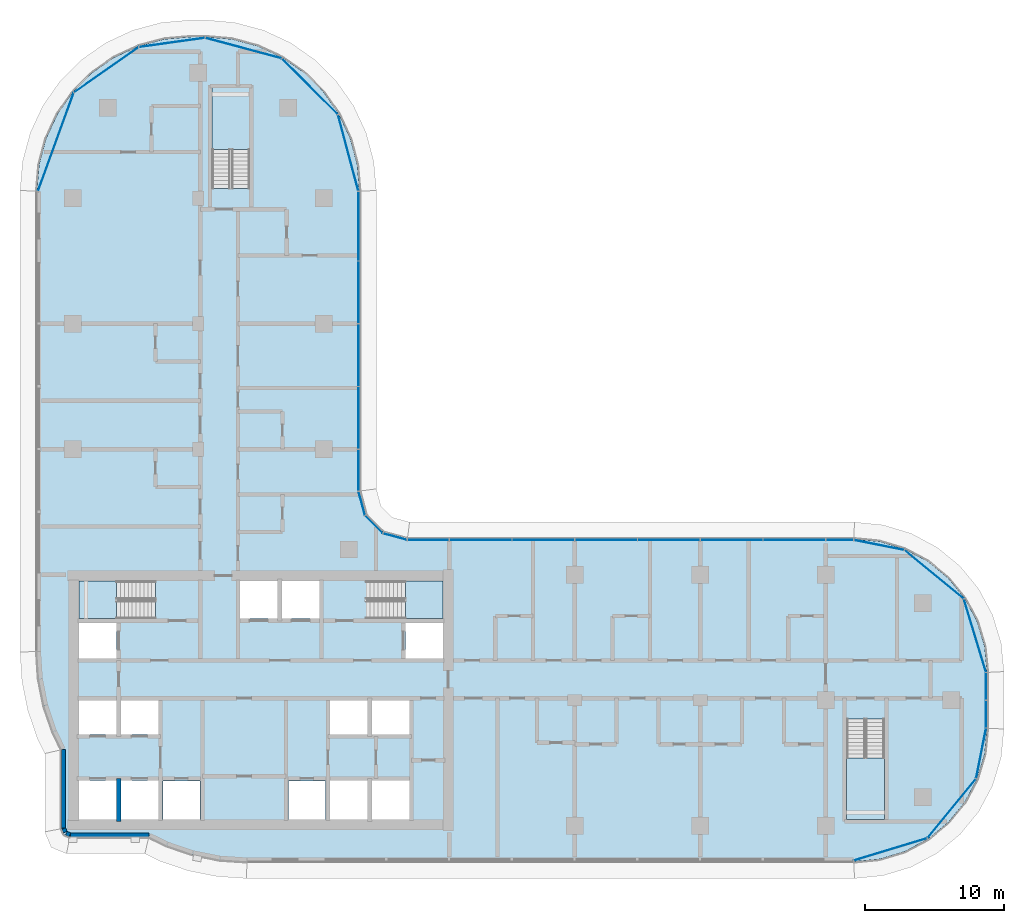
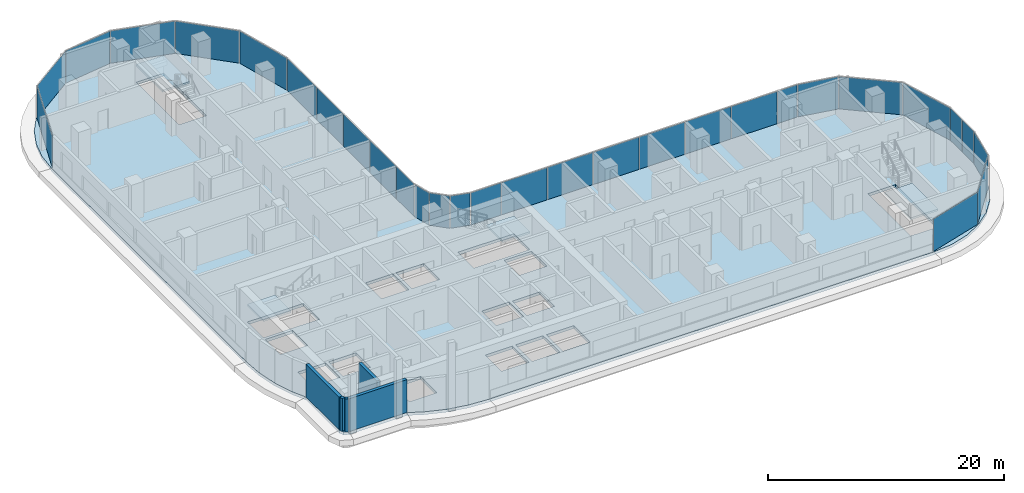
# One storey, part 9 of 25: 30 plates, 5 slabs, 5 walls, 11 elements without a shape of their own.
"""IFC4 building model written with IfcOpenShell, lengths in metres."""

from ifc_helpers import new_model, si_unit, direction, frame, frame_2d, origin, origin_2d, place, context, subcontext, project, spatial, polyline, rectangle, outline, extrude, material, layer, layer_set, type_object, element, aggregate, save


model = new_model("IFC4")

# Units and contexts
model_context = context("Model", 3, precision=1e-05, world=origin(), true_north=direction((0.0, 1.0)))
body_context = subcontext(model_context, "Body", "Model", "MODEL_VIEW")
ifc_project = project(units=[si_unit("LENGTHUNIT", "METRE"), si_unit("AREAUNIT", "SQUARE_METRE"), si_unit("VOLUMEUNIT", "CUBIC_METRE"), si_unit("PLANEANGLEUNIT", "RADIAN"), si_unit("MASSUNIT", "GRAM", prefix="KILO")], contexts=[model_context])

# Site, building, storey
site_placement = place(None, origin())
site = spatial("IfcSite", under=ifc_project, at=site_placement, CompositionType="ELEMENT")
building_placement = place(site_placement, origin())
building = spatial("IfcBuilding", under=site, at=building_placement, Name="Ogive Portal Towers", CompositionType="ELEMENT")
storey_placement = place(building_placement, frame((0.0, 0.0, 116.699951171875)))
storey = spatial("IfcBuildingStorey", under=building, at=storey_placement, Name="L28", CompositionType="ELEMENT", Elevation=116.699951171875)

# Curtain wall, plates
ifc_material_1 = material(Name="Glass, clear low-iron insulated glazing", Category="glass")
curtain_wall_type = type_object("IfcCurtainWallType", Name="CW FRONT RIBBON 4500", PredefinedType="NOTDEFINED", material=ifc_material_1)
curtain_wall_1_placement = place(storey_placement, origin())
curtain_wall_1 = element("IfcCurtainWall", 1, at=curtain_wall_1_placement, inside=storey, type_object=curtain_wall_type, Name="A:L28:f12:cw0", PredefinedType="NOTDEFINED")
ifc_layer_1 = layer(ifc_material_1, 0.028076171875)
ifc_layer_set_1 = layer_set([ifc_layer_1], Name="CW PANEL IGU 28")
plate_type = type_object("IfcPlateType", Name="CW PANEL IGU 28", PredefinedType="CURTAIN_PANEL", material=ifc_layer_set_1)
plate_1_placement = place(storey_placement, frame((96.9951171875, 29.50390625, 0.0), z_axis=(0.0, 0.0, 1.0), x_axis=(0.0, 1.0, 0.0)))
plate_1 = element("IfcPlate", 2, at=plate_1_placement, type_object=plate_type, Name="panel", PredefinedType="CURTAIN_PANEL", context=body_context, shape_type="SweptSolid", body=[
    extrude(rectangle(XDim=1.93212890625, YDim=0.028076171875, at=origin_2d()), origin(), (0.0, 0.0, 1.0), 3.340087890625),
])
plate_2_placement = place(storey_placement, frame((96.9951171875, 31.494140625, 0.0), z_axis=(0.0, 0.0, 1.0), x_axis=(0.0, 1.0, 0.0)))
plate_2 = element("IfcPlate", 3, at=plate_2_placement, type_object=plate_type, Name="panel", PredefinedType="CURTAIN_PANEL", context=body_context, shape_type="SweptSolid", body=[
    extrude(rectangle(XDim=1.92822265625, YDim=0.028076171875, at=origin_2d()), origin(), (0.0, 0.0, 1.0), 3.340087890625),
])
aggregate(curtain_wall_1, [plate_1, plate_2])

curtain_wall_2_placement = place(storey_placement, origin())
curtain_wall_2 = element("IfcCurtainWall", 4, at=curtain_wall_2_placement, inside=storey, type_object=curtain_wall_type, Name="A:L28:f16:cw0", PredefinedType="NOTDEFINED")
plate_3_placement = place(storey_placement, frame((86.49609375, 41.9951171875, 0.0), z_axis=(0.0, 0.0, 1.0), x_axis=(-1.0, 0.0, 0.0)))
plate_3 = element("IfcPlate", 5, at=plate_3_placement, type_object=plate_type, Name="panel", PredefinedType="CURTAIN_PANEL", context=body_context, shape_type="SweptSolid", body=[
    extrude(rectangle(XDim=1.93212890625, YDim=0.028076171875, at=origin_2d()), origin(), (0.0, 0.0, 1.0), 3.340087890625),
])
plate_4_placement = place(storey_placement, frame((83.25, 41.9951171875, 0.0), z_axis=(0.0, 0.0, 1.0), x_axis=(-1.0, 0.0, 0.0)))
plate_4 = element("IfcPlate", 6, at=plate_4_placement, type_object=plate_type, Name="panel", PredefinedType="CURTAIN_PANEL", context=body_context, shape_type="SweptSolid", body=[
    extrude(rectangle(XDim=4.43994140625, YDim=0.028076171875, at=origin_2d()), origin(), (0.0, 0.0, 1.0), 3.340087890625),
])
plate_5_placement = place(storey_placement, frame((78.75, 41.9951171875, 0.0), z_axis=(0.0, 0.0, 1.0), x_axis=(-1.0, 0.0, 0.0)))
plate_5 = element("IfcPlate", 7, at=plate_5_placement, type_object=plate_type, Name="panel", PredefinedType="CURTAIN_PANEL", context=body_context, shape_type="SweptSolid", body=[
    extrude(rectangle(XDim=4.43994140625, YDim=0.028076171875, at=origin_2d()), origin(), (0.0, 0.0, 1.0), 3.340087890625),
])
plate_6_placement = place(storey_placement, frame((74.25, 41.9951171875, 0.0), z_axis=(0.0, 0.0, 1.0), x_axis=(-1.0, 0.0, 0.0)))
plate_6 = element("IfcPlate", 8, at=plate_6_placement, type_object=plate_type, Name="panel", PredefinedType="CURTAIN_PANEL", context=body_context, shape_type="SweptSolid", body=[
    extrude(rectangle(XDim=4.43994140625, YDim=0.028076171875, at=origin_2d()), origin(), (0.0, 0.0, 1.0), 3.340087890625),
])
plate_7_placement = place(storey_placement, frame((69.75, 41.9951171875, 0.0), z_axis=(0.0, 0.0, 1.0), x_axis=(-1.0, 0.0, 0.0)))
plate_7 = element("IfcPlate", 9, at=plate_7_placement, type_object=plate_type, Name="panel", PredefinedType="CURTAIN_PANEL", context=body_context, shape_type="SweptSolid", body=[
    extrude(rectangle(XDim=4.43994140625, YDim=0.028076171875, at=origin_2d()), origin(), (0.0, 0.0, 1.0), 3.340087890625),
])
plate_8_placement = place(storey_placement, frame((65.25, 41.9951171875, 0.0), z_axis=(0.0, 0.0, 1.0), x_axis=(-1.0, 0.0, 0.0)))
plate_8 = element("IfcPlate", 10, at=plate_8_placement, type_object=plate_type, Name="panel", PredefinedType="CURTAIN_PANEL", context=body_context, shape_type="SweptSolid", body=[
    extrude(rectangle(XDim=4.43994140625, YDim=0.028076171875, at=origin_2d()), origin(), (0.0, 0.0, 1.0), 3.340087890625),
])
plate_9_placement = place(storey_placement, frame((60.75, 41.9951171875, 0.0), z_axis=(0.0, 0.0, 1.0), x_axis=(-1.0, 0.0, 0.0)))
plate_9 = element("IfcPlate", 11, at=plate_9_placement, type_object=plate_type, Name="panel", PredefinedType="CURTAIN_PANEL", context=body_context, shape_type="SweptSolid", body=[
    extrude(rectangle(XDim=4.43994140625, YDim=0.028076171875, at=origin_2d()), origin(), (0.0, 0.0, 1.0), 3.340087890625),
])
plate_10_placement = place(storey_placement, frame((56.99462890625, 41.9951171875, 0.0), z_axis=(0.0, 0.0, 1.0), x_axis=(-1.0, 0.0, 0.0)))
plate_10 = element("IfcPlate", 12, at=plate_10_placement, type_object=plate_type, Name="panel", PredefinedType="CURTAIN_PANEL", context=body_context, shape_type="SweptSolid", body=[
    extrude(rectangle(XDim=2.950439453125, YDim=0.028076171875, at=origin_2d()), origin(), (0.0, 0.0, 1.0), 3.340087890625),
])
aggregate(curtain_wall_2, [plate_3, plate_4, plate_5, plate_6, plate_7, plate_8, plate_9, plate_10])

curtain_wall_3_placement = place(storey_placement, origin())
curtain_wall_3 = element("IfcCurtainWall", 13, at=curtain_wall_3_placement, inside=storey, type_object=curtain_wall_type, Name="A:L28:f20:cw0", PredefinedType="NOTDEFINED")
plate_11_placement = place(storey_placement, frame((51.9951171875, 46.99462890625, 0.0), z_axis=(0.0, 0.0, 1.0), x_axis=(0.0, 1.0, 0.0)))
plate_11 = element("IfcPlate", 14, at=plate_11_placement, type_object=plate_type, Name="panel", PredefinedType="CURTAIN_PANEL", context=body_context, shape_type="SweptSolid", body=[
    extrude(rectangle(XDim=2.950439453125, YDim=0.028076171875, at=origin_2d()), origin(), (0.0, 0.0, 1.0), 3.340087890625),
])
plate_12_placement = place(storey_placement, frame((51.9951171875, 50.75, 0.0), z_axis=(0.0, 0.0, 1.0), x_axis=(0.0, 1.0, 0.0)))
plate_12 = element("IfcPlate", 15, at=plate_12_placement, type_object=plate_type, Name="panel", PredefinedType="CURTAIN_PANEL", context=body_context, shape_type="SweptSolid", body=[
    extrude(rectangle(XDim=4.43994140625, YDim=0.028076171875, at=origin_2d()), origin(), (0.0, 0.0, 1.0), 3.340087890625),
])
plate_13_placement = place(storey_placement, frame((51.9951171875, 55.25, 0.0), z_axis=(0.0, 0.0, 1.0), x_axis=(0.0, 1.0, 0.0)))
plate_13 = element("IfcPlate", 16, at=plate_13_placement, type_object=plate_type, Name="panel", PredefinedType="CURTAIN_PANEL", context=body_context, shape_type="SweptSolid", body=[
    extrude(rectangle(XDim=4.43994140625, YDim=0.028076171875, at=origin_2d()), origin(), (0.0, 0.0, 1.0), 3.340087890625),
])
plate_14_placement = place(storey_placement, frame((51.9951171875, 59.75, 0.0), z_axis=(0.0, 0.0, 1.0), x_axis=(0.0, 1.0, 0.0)))
plate_14 = element("IfcPlate", 17, at=plate_14_placement, type_object=plate_type, Name="panel", PredefinedType="CURTAIN_PANEL", context=body_context, shape_type="SweptSolid", body=[
    extrude(rectangle(XDim=4.43994140625, YDim=0.028076171875, at=origin_2d()), origin(), (0.0, 0.0, 1.0), 3.340087890625),
])
plate_15_placement = place(storey_placement, frame((51.9951171875, 64.49462890625, 0.0), z_axis=(0.0, 0.0, 1.0), x_axis=(0.0, 1.0, 0.0)))
plate_15 = element("IfcPlate", 18, at=plate_15_placement, type_object=plate_type, Name="panel", PredefinedType="CURTAIN_PANEL", context=body_context, shape_type="SweptSolid", body=[
    extrude(rectangle(XDim=4.929443359375, YDim=0.028076171875, at=origin_2d()), origin(), (0.0, 0.0, 1.0), 3.340087890625),
])
aggregate(curtain_wall_3, [plate_11, plate_12, plate_13, plate_14, plate_15])

curtain_wall_4_placement = place(storey_placement, origin())
curtain_wall_4 = element("IfcCurtainWall", 19, at=curtain_wall_4_placement, inside=storey, type_object=curtain_wall_type, Name="A:L28:f09:cwa", PredefinedType="NOTDEFINED")
plate_16_placement = place(storey_placement, frame((90.130615234375, 19.806640625, 0.0), z_axis=(0.0, 0.0, 1.0), x_axis=(0.956940335732, 0.290284677254, 0.0)))
plate_16 = element("IfcPlate", 20, at=plate_16_placement, type_object=plate_type, Name="panel", PredefinedType="CURTAIN_PANEL", context=body_context, shape_type="SweptSolid", body=[
    extrude(rectangle(XDim=5.462890625, YDim=0.028076171875, at=origin_2d()), origin(), (0.0, 0.0, 1.0), 3.340087890625),
])
plate_17_placement = place(storey_placement, frame((94.5224609375, 22.73974609375, 0.0), z_axis=(0.0, 0.0, 1.0), x_axis=(0.634393284164, 0.773010453363, 0.0)))
plate_17 = element("IfcPlate", 21, at=plate_17_placement, type_object=plate_type, Name="panel", PredefinedType="CURTAIN_PANEL", context=body_context, shape_type="SweptSolid", body=[
    extrude(rectangle(XDim=5.45458984375, YDim=0.028076171875, at=origin_2d()), origin(), (0.0, 0.0, 1.0), 3.340087890625),
])
plate_18_placement = place(storey_placement, frame((96.63330078125, 26.689453125, 0.0), z_axis=(0.0, 0.0, 1.0), x_axis=(0.195090322016, 0.980785280403, 0.0)))
plate_18 = element("IfcPlate", 22, at=plate_18_placement, type_object=plate_type, Name="panel", PredefinedType="CURTAIN_PANEL", context=body_context, shape_type="SweptSolid", body=[
    extrude(rectangle(XDim=3.64794921875, YDim=0.028076171875, at=origin_2d()), origin(), (0.0, 0.0, 1.0), 3.340087890625),
])
aggregate(curtain_wall_4, [plate_16, plate_17, plate_18])

curtain_wall_5_placement = place(storey_placement, origin())
curtain_wall_5 = element("IfcCurtainWall", 23, at=curtain_wall_5_placement, inside=storey, type_object=curtain_wall_type, Name="A:L28:f13:cwa", PredefinedType="NOTDEFINED")
plate_19_placement = place(storey_placement, frame((96.193359375, 35.130615234375, 0.0), z_axis=(0.0, 0.0, 1.0), x_axis=(-0.290284677254, 0.956940335732, 0.0)))
plate_19 = element("IfcPlate", 24, at=plate_19_placement, type_object=plate_type, Name="panel", PredefinedType="CURTAIN_PANEL", context=body_context, shape_type="SweptSolid", body=[
    extrude(rectangle(XDim=5.462890625, YDim=0.028076171875, at=origin_2d()), origin(), (0.0, 0.0, 1.0), 3.340087890625),
])
plate_20_placement = place(storey_placement, frame((93.26025390625, 39.5224609375, 0.0), z_axis=(0.0, 0.0, 1.0), x_axis=(-0.773010453363, 0.634393284164, 0.0)))
plate_20 = element("IfcPlate", 25, at=plate_20_placement, type_object=plate_type, Name="panel", PredefinedType="CURTAIN_PANEL", context=body_context, shape_type="SweptSolid", body=[
    extrude(rectangle(XDim=5.45458984375, YDim=0.028076171875, at=origin_2d()), origin(), (0.0, 0.0, 1.0), 3.340087890625),
])
plate_21_placement = place(storey_placement, frame((89.310546875, 41.63330078125, 0.0), z_axis=(0.0, 0.0, 1.0), x_axis=(-0.980785280403, 0.195090322016, 0.0)))
plate_21 = element("IfcPlate", 26, at=plate_21_placement, type_object=plate_type, Name="panel", PredefinedType="CURTAIN_PANEL", context=body_context, shape_type="SweptSolid", body=[
    extrude(rectangle(XDim=3.64794921875, YDim=0.028076171875, at=origin_2d()), origin(), (0.0, 0.0, 1.0), 3.340087890625),
])
aggregate(curtain_wall_5, [plate_19, plate_20, plate_21])

curtain_wall_6_placement = place(storey_placement, origin())
curtain_wall_6 = element("IfcCurtainWall", 27, at=curtain_wall_6_placement, inside=storey, type_object=curtain_wall_type, Name="A:L28:f17:cwa", PredefinedType="NOTDEFINED")
plate_22_placement = place(storey_placement, frame((54.61767578125, 42.228515625, 0.0), z_axis=(0.0, 0.0, 1.0), x_axis=(-0.965925826289, 0.258819045103, 0.0)))
plate_22 = element("IfcPlate", 28, at=plate_22_placement, type_object=plate_type, Name="panel", PredefinedType="CURTAIN_PANEL", context=body_context, shape_type="SweptSolid", body=[
    extrude(rectangle(XDim=1.744873046875, YDim=0.028076171875, at=origin_2d()), origin(), (0.0, 0.0, 1.0), 3.340087890625),
])
plate_23_placement = place(storey_placement, frame((53.10400390625, 43.10400390625, 0.0), z_axis=(0.0, 0.0, 1.0), x_axis=(-0.707106781187, 0.707106781187, 0.0)))
plate_23 = element("IfcPlate", 29, at=plate_23_placement, type_object=plate_type, Name="panel", PredefinedType="CURTAIN_PANEL", context=body_context, shape_type="SweptSolid", body=[
    extrude(rectangle(XDim=1.755859375, YDim=0.028076171875, at=origin_2d()), origin(), (0.0, 0.0, 1.0), 3.340087890625),
])
plate_24_placement = place(storey_placement, frame((52.228515625, 44.61767578125, 0.0), z_axis=(0.0, 0.0, 1.0), x_axis=(-0.258819045103, 0.965925826289, 0.0)))
plate_24 = element("IfcPlate", 30, at=plate_24_placement, type_object=plate_type, Name="panel", PredefinedType="CURTAIN_PANEL", context=body_context, shape_type="SweptSolid", body=[
    extrude(rectangle(XDim=1.744873046875, YDim=0.028076171875, at=origin_2d()), origin(), (0.0, 0.0, 1.0), 3.340087890625),
])
aggregate(curtain_wall_6, [plate_22, plate_23, plate_24])

curtain_wall_7_placement = place(storey_placement, origin())
curtain_wall_7 = element("IfcCurtainWall", 31, at=curtain_wall_7_placement, inside=storey, type_object=curtain_wall_type, Name="A:L28:f21:cwa", PredefinedType="NOTDEFINED")
plate_25_placement = place(storey_placement, frame((51.25732421875, 69.74267578125, 0.0), z_axis=(0.0, 0.0, 1.0), x_axis=(-0.258819045103, 0.965925826289, 0.0)))
plate_25 = element("IfcPlate", 32, at=plate_25_placement, type_object=plate_type, Name="panel", PredefinedType="CURTAIN_PANEL", context=body_context, shape_type="SweptSolid", body=[
    extrude(rectangle(XDim=5.640869140625, YDim=0.028076171875, at=origin_2d()), origin(), (0.0, 0.0, 1.0), 3.340087890625),
])
plate_26_placement = place(storey_placement, frame((48.5078125, 74.5078125, 0.0), z_axis=(0.0, 0.0, 1.0), x_axis=(-0.707106781187, 0.707106781187, 0.0)))
plate_26 = element("IfcPlate", 33, at=plate_26_placement, type_object=plate_type, Name="panel", PredefinedType="CURTAIN_PANEL", context=body_context, shape_type="SweptSolid", body=[
    extrude(rectangle(XDim=5.6298828125, YDim=0.028076171875, at=origin_2d()), origin(), (0.0, 0.0, 1.0), 3.340087890625),
])
plate_27_placement = place(storey_placement, frame((43.74560546875, 77.256591796875, 0.0), z_axis=(0.0, 0.0, 1.0), x_axis=(-0.965925826289, 0.258819045103, 0.0)))
plate_27 = element("IfcPlate", 34, at=plate_27_placement, type_object=plate_type, Name="panel", PredefinedType="CURTAIN_PANEL", context=body_context, shape_type="SweptSolid", body=[
    extrude(rectangle(XDim=5.63525390625, YDim=0.028076171875, at=origin_2d()), origin(), (0.0, 0.0, 1.0), 3.340087890625),
])
plate_28_placement = place(storey_placement, frame((38.61865234375, 77.662109375, 0.0), z_axis=(0.0, 0.0, 1.0), x_axis=(-0.990409738761, -0.138161316467, 0.0)))
plate_28 = element("IfcPlate", 35, at=plate_28_placement, type_object=plate_type, Name="panel", PredefinedType="CURTAIN_PANEL", context=body_context, shape_type="SweptSolid", body=[
    extrude(rectangle(XDim=4.73876953125, YDim=0.028076171875, at=origin_2d()), origin(), (0.0, 0.0, 1.0), 3.340087890625),
])
plate_29_placement = place(storey_placement, frame((33.912353515625, 75.69921875, 0.0), z_axis=(0.0, 0.0, 1.0), x_axis=(-0.819152044289, -0.573576436351, 0.0)))
plate_29 = element("IfcPlate", 36, at=plate_29_placement, type_object=plate_type, Name="panel", PredefinedType="CURTAIN_PANEL", context=body_context, shape_type="SweptSolid", body=[
    extrude(rectangle(XDim=5.62841796875, YDim=0.028076171875, at=origin_2d()), origin(), (0.0, 0.0, 1.0), 3.340087890625),
])
plate_30_placement = place(storey_placement, frame((30.293701171875, 70.52685546875, 0.0), z_axis=(0.0, 0.0, 1.0), x_axis=(-0.342020143326, -0.939692620786, 0.0)))
plate_30 = element("IfcPlate", 37, at=plate_30_placement, type_object=plate_type, Name="panel", PredefinedType="CURTAIN_PANEL", context=body_context, shape_type="SweptSolid", body=[
    extrude(rectangle(XDim=7.476318359375, YDim=0.028076171875, at=origin_2d()), origin(), (0.0, 0.0, 1.0), 3.340087890625),
])
aggregate(curtain_wall_7, [plate_25, plate_26, plate_27, plate_28, plate_29, plate_30])

# Stair, slab
ifc_material_2 = material(Name="Concrete C40/50", Category="concrete")
stair_type = type_object("IfcStairType", Name="INT-STAIR", PredefinedType="HALF_TURN_STAIR", material=ifc_material_2)
stair_1_placement = place(storey_placement, origin())
stair_1 = element("IfcStair", 38, at=stair_1_placement, inside=storey, type_object=stair_type, Name="L28 Exit Stair ST-A1", PredefinedType="HALF_TURN_STAIR")
ifc_layer_2 = layer(ifc_material_2, 0.199951171875)
ifc_layer_set_2 = layer_set([ifc_layer_2], Name="INT-LANDING")
slab_type_1 = type_object("IfcSlabType", Name="INT-LANDING", PredefinedType="LANDING", material=ifc_layer_set_2)
slab_1_placement = place(storey_placement, frame((0.0, 0.0, 1.650146484375)))
slab_1 = element("IfcSlab", 39, at=slab_1_placement, type_object=slab_type_1, Name="ST-A1 landing 1", PredefinedType="LANDING", context=body_context, shape_type="SweptSolid", body=[
    extrude(outline(polyline([(34.64990234375, 39.050048828125), (31.949951171875, 39.050048828125), (31.949951171875, 36.35009765625), (34.64990234375, 36.35009765625), (34.64990234375, 39.050048828125)])), origin(), (0.0, 0.0, 1.0), 0.199951171875),
])
aggregate(stair_1, [slab_1])

stair_2_placement = place(storey_placement, origin())
stair_2 = element("IfcStair", 40, at=stair_2_placement, inside=storey, type_object=stair_type, Name="L28 Exit Stair ST-A2", PredefinedType="HALF_TURN_STAIR")
slab_2_placement = place(storey_placement, frame((0.0, 0.0, 1.650146484375)))
slab_2 = element("IfcSlab", 41, at=slab_2_placement, type_object=slab_type_1, Name="ST-A2 landing 1", PredefinedType="LANDING", context=body_context, shape_type="SweptSolid", body=[
    extrude(outline(polyline([(55.35009765625, 36.35009765625), (58.050048828125, 36.35009765625), (58.050048828125, 39.050048828125), (55.35009765625, 39.050048828125), (55.35009765625, 36.35009765625)])), origin(), (0.0, 0.0, 1.0), 0.199951171875),
])
aggregate(stair_2, [slab_2])

stair_3_placement = place(storey_placement, origin())
stair_3 = element("IfcStair", 42, at=stair_3_placement, inside=storey, type_object=stair_type, Name="L28 Exit Stair ST-A3", PredefinedType="HALF_TURN_STAIR")
slab_3_placement = place(storey_placement, frame((0.0, 0.0, 1.650146484375)))
slab_3 = element("IfcSlab", 43, at=slab_3_placement, type_object=slab_type_1, Name="ST-A3 landing 1", PredefinedType="LANDING", context=body_context, shape_type="SweptSolid", body=[
    extrude(outline(polyline([(44.199951171875, 70.0), (44.199951171875, 74.449951171875), (41.5, 74.449951171875), (41.5, 70.0), (44.199951171875, 70.0)])), origin(), (0.0, 0.0, 1.0), 0.199951171875),
])
aggregate(stair_3, [slab_3])

stair_4_placement = place(storey_placement, origin())
stair_4 = element("IfcStair", 44, at=stair_4_placement, inside=storey, type_object=stair_type, Name="L28 Exit Stair ST-A4", PredefinedType="HALF_TURN_STAIR")
slab_4_placement = place(storey_placement, frame((0.0, 0.0, 1.650146484375)))
slab_4 = element("IfcSlab", 45, at=slab_4_placement, type_object=slab_type_1, Name="ST-A4 landing 1", PredefinedType="LANDING", context=body_context, shape_type="SweptSolid", body=[
    extrude(outline(polyline([(87.0, 26.3701171875), (87.0, 21.949951171875), (89.699951171875, 21.949951171875), (89.699951171875, 26.3701171875), (87.0, 26.3701171875)])), origin(), (0.0, 0.0, 1.0), 0.199951171875),
])
aggregate(stair_4, [slab_4])

# Slab
ifc_material_3 = material(Name="Concrete C45/55", Category="concrete")
ifc_layer_3 = layer(ifc_material_3, 0.300048828125)
ifc_layer_set_3 = layer_set([ifc_layer_3], Name="PT FLAT PLATE 300")
slab_type_2 = type_object("IfcSlabType", Name="PT FLAT PLATE 300", PredefinedType="FLOOR", material=ifc_layer_set_3)
slab_5_placement = place(storey_placement, frame((0.0, 0.0, -0.300048828125)))
element("IfcSlab", 46, at=slab_5_placement, inside=storey, type_object=slab_type_2, Name="Floor slab L28", PredefinedType="FLOOR", context=body_context, shape_type="SweptSolid", body=[
    extrude(outline(polyline([(29.438720703125, 30.098388671875), (30.072509765625, 28.23095703125), (30.699951171875, 26.95849609375), (30.699951171875, 21.300048828125), (30.875732421875, 20.875732421875), (31.300048828125, 20.699951171875), (36.95849609375, 20.699951171875), (38.23095703125, 20.072509765625), (40.098388671875, 19.438720703125), (42.0322265625, 19.053955078125), (44.0, 18.925048828125), (87.5, 18.925048828125), (89.367919921875, 19.10888671875), (91.164306640625, 19.65380859375), (92.819580078125, 20.538818359375), (94.2705078125, 21.7294921875), (95.461181640625, 23.180419921875), (96.34619140625, 24.835693359375), (96.89111328125, 26.632080078125), (97.074951171875, 28.5), (97.074951171875, 32.5), (96.89111328125, 34.367919921875), (96.34619140625, 36.164306640625), (95.461181640625, 37.819580078125), (94.2705078125, 39.2705078125), (92.819580078125, 40.461181640625), (91.164306640625, 41.34619140625), (89.367919921875, 41.89111328125), (87.5, 42.074951171875), (55.5, 42.074951171875), (53.78759765625, 42.533935546875), (52.533935546875, 43.78759765625), (52.074951171875, 45.5), (52.074951171875, 67.0), (51.90673828125, 68.923095703125), (51.406982421875, 70.787841796875), (50.59130859375, 72.53759765625), (49.48388671875, 74.118896484375), (48.118896484375, 75.48388671875), (46.53759765625, 76.59130859375), (44.787841796875, 77.406982421875), (42.923095703125, 77.90673828125), (41.0, 78.074951171875), (40.0, 78.074951171875), (38.076904296875, 77.90673828125), (36.212158203125, 77.406982421875), (34.46240234375, 76.59130859375), (32.881103515625, 75.48388671875), (31.51611328125, 74.118896484375), (30.40869140625, 72.53759765625), (29.593017578125, 70.787841796875), (29.09326171875, 68.923095703125), (28.925048828125, 67.0), (28.925048828125, 34.0), (29.053955078125, 32.0322265625), (29.438720703125, 30.098388671875)]), holes=[polyline([(34.64990234375, 24.75), (34.64990234375, 21.949951171875), (31.949951171875, 21.949951171875), (31.949951171875, 24.75), (34.64990234375, 24.75)]), polyline([(37.64990234375, 24.75), (37.64990234375, 21.949951171875), (34.949951171875, 21.949951171875), (34.949951171875, 24.75), (37.64990234375, 24.75)]), polyline([(40.6298828125, 21.969970703125), (37.969970703125, 21.969970703125), (37.969970703125, 24.72998046875), (40.6298828125, 24.72998046875), (40.6298828125, 21.969970703125)]), polyline([(34.64990234375, 30.5), (34.64990234375, 28.050048828125), (31.949951171875, 28.050048828125), (31.949951171875, 30.5), (34.64990234375, 30.5)]), polyline([(37.64990234375, 30.5), (37.64990234375, 28.050048828125), (34.949951171875, 28.050048828125), (34.949951171875, 30.5), (37.64990234375, 30.5)]), polyline([(34.64990234375, 36.050048828125), (34.64990234375, 33.5), (31.949951171875, 33.5), (31.949951171875, 36.050048828125), (34.64990234375, 36.050048828125)]), polyline([(31.951904296875, 39.048095703125), (37.447998046875, 39.048095703125), (37.447998046875, 36.35205078125), (31.951904296875, 36.35205078125), (31.951904296875, 39.048095703125)]), polyline([(46.199951171875, 36.35009765625), (43.5, 36.35009765625), (43.5, 39.050048828125), (46.199951171875, 39.050048828125), (46.199951171875, 36.35009765625)]), polyline([(44.197998046875, 67.201904296875), (41.501953125, 67.201904296875), (41.501953125, 74.447998046875), (44.197998046875, 74.447998046875), (44.197998046875, 67.201904296875)]), polyline([(49.6298828125, 21.969970703125), (46.969970703125, 21.969970703125), (46.969970703125, 24.72998046875), (49.6298828125, 24.72998046875), (49.6298828125, 21.969970703125)]), polyline([(52.64990234375, 24.75), (52.64990234375, 21.949951171875), (49.949951171875, 21.949951171875), (49.949951171875, 24.75), (52.64990234375, 24.75)]), polyline([(55.64990234375, 24.75), (55.64990234375, 21.949951171875), (52.949951171875, 21.949951171875), (52.949951171875, 24.75), (55.64990234375, 24.75)]), polyline([(87.001953125, 21.951904296875), (87.001953125, 29.16796875), (89.697998046875, 29.16796875), (89.697998046875, 21.951904296875), (87.001953125, 21.951904296875)]), polyline([(52.64990234375, 30.5), (52.64990234375, 28.050048828125), (49.949951171875, 28.050048828125), (49.949951171875, 30.5), (52.64990234375, 30.5)]), polyline([(55.64990234375, 30.5), (55.64990234375, 28.050048828125), (52.949951171875, 28.050048828125), (52.949951171875, 30.5), (55.64990234375, 30.5)]), polyline([(58.050048828125, 36.050048828125), (58.050048828125, 33.5), (55.35009765625, 33.5), (55.35009765625, 36.050048828125), (58.050048828125, 36.050048828125)]), polyline([(49.199951171875, 36.35009765625), (46.5, 36.35009765625), (46.5, 39.050048828125), (49.199951171875, 39.050048828125), (49.199951171875, 36.35009765625)]), polyline([(52.552001953125, 36.35205078125), (52.552001953125, 39.048095703125), (58.048095703125, 39.048095703125), (58.048095703125, 36.35205078125), (52.552001953125, 36.35205078125)])]), origin(), (0.0, 0.0, 1.0), 0.300048828125),
])

# Walls
ifc_material_4 = material(Name="Limestone cladding on lightweight block wall", Category="masonry")
ifc_layer_4 = layer(ifc_material_4, 0.300048828125)
ifc_layer_set_4 = layer_set([ifc_layer_4], Name="EXTERNAL WALL 300 STONE")
wall_type_1 = type_object("IfcWallType", Name="EXTERNAL WALL 300 STONE", PredefinedType="SOLIDWALL", material=ifc_layer_set_4)
wall_1_placement = place(storey_placement, frame((30.85009765625, 26.958740234375, 0.0), z_axis=(0.0, 0.0, 1.0), x_axis=(0.0, -1.0, 0.0)))
element("IfcWall", 47, at=wall_1_placement, inside=storey, type_object=wall_type_1, Name="A:L28:f00:r0:wall", PredefinedType="SOLIDWALL", context=body_context, shape_type="SweptSolid", body=[
    extrude(rectangle(XDim=5.59912109375, YDim=0.300048828125, at=frame_2d((2.799560546875, 0.0))), origin(), (0.0, 0.0, 1.0), 3.400146484375),
])
for number, where, z_axis, x_axis, name in (
    (48, (30.861328125, 21.30224609375, 0.0), (0.0, 0.0, 1.0), (0.38297812142, -0.923757413239, 0.0), "A:L28:f01:r0:wall"),
    (49, (31.0478515625, 20.966796875, 0.0), (0.0, 0.0, 1.0), (0.923757413239, -0.38297812142, 0.0), "A:L28:f02:r0:wall"),
):
    element("IfcWall", number, at=place(storey_placement, frame(where, z_axis=z_axis, x_axis=x_axis)), inside=storey, type_object=wall_type_1, Name=name, PredefinedType="SOLIDWALL", context=body_context, shape_type="SweptSolid", body=[
        extrude(rectangle(XDim=0.275390625, YDim=0.300048828125, at=frame_2d((0.1376953125, 0.0))), origin(), (0.0, 0.0, 1.0), 3.400146484375),
    ])
wall_2_placement = place(storey_placement, frame((31.359619140625, 20.85009765625, 0.0), z_axis=(0.0, 0.0, 1.0), x_axis=(1.0, 0.0, 0.0)))
element("IfcWall", 50, at=wall_2_placement, inside=storey, type_object=wall_type_1, Name="A:L28:f03:r0:wall", PredefinedType="SOLIDWALL", context=body_context, shape_type="SweptSolid", body=[
    extrude(rectangle(XDim=5.59912109375, YDim=0.300048828125, at=frame_2d((2.799560546875, 0.0))), origin(), (0.0, 0.0, 1.0), 3.400146484375),
])
ifc_layer_5 = layer(ifc_material_2, 0.300048828125)
ifc_layer_set_5 = layer_set([ifc_layer_5], Name="WT-SHAFT-300")
wall_type_2 = type_object("IfcWallType", Name="WT-SHAFT-300", PredefinedType="SOLIDWALL", material=ifc_layer_set_5)
wall_3_placement = place(storey_placement, frame((34.800048828125, 21.800048828125, 0.0), z_axis=(0.0, 0.0, 1.0), x_axis=(0.0, 1.0, 0.0)))
element("IfcWall", 51, at=wall_3_placement, inside=storey, type_object=wall_type_2, Name="Wall pw:007:L28", PredefinedType="SOLIDWALL", context=body_context, shape_type="SweptSolid", body=[
    extrude(rectangle(XDim=3.099853515625, YDim=0.300048828125, at=frame_2d((1.5498046875, 0.0))), origin(), (0.0, 0.0, 1.0), 3.400146484375),
])

save(model, "model.ifc")
